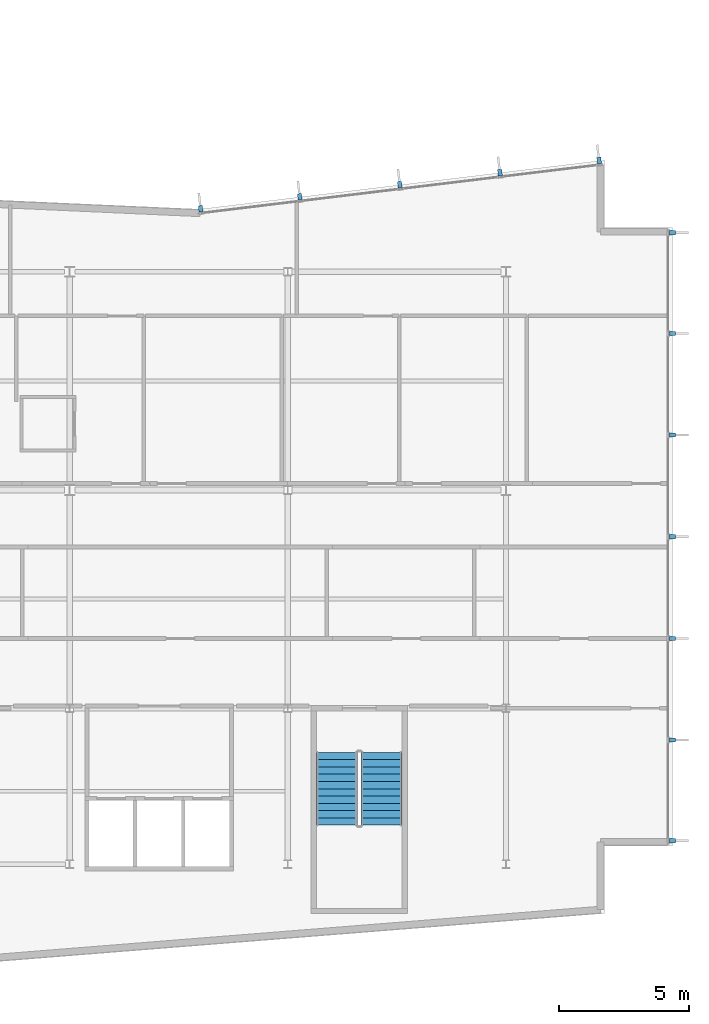
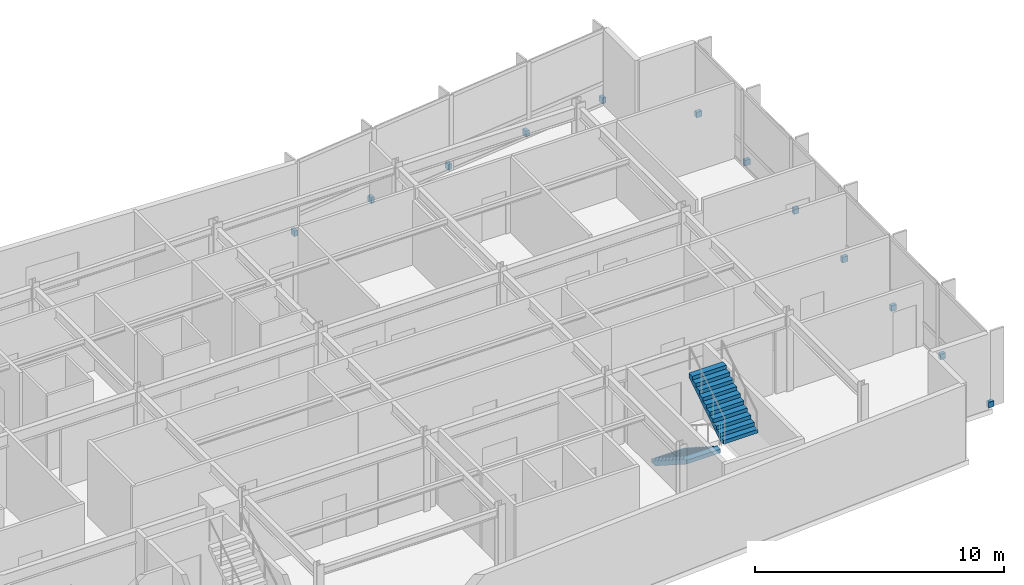
# One storey, part 14 of 18: 12 discrete accessories, 2 stair flights, 1 element without a shape of its own.
"""IFC4 building model written with IfcOpenShell, lengths in metres."""

import ifcopenshell
import ifcopenshell.guid

model = None  # the IFC model being written
_history = None  # IfcOwnerHistory: only IFC2X3 demands one
_inside = {}  # id of a spatial element -> (the spatial element, [elements in it])
_under = {}  # id of a project, library or spatial element -> (it, [spatial elements below it])
_declared = {}  # id of a project -> (the project, [libraries it declares])
_typed = {}  # id of a type object -> (the type object, [elements of that type])
_made_of = {}  # id of a material, layer set ... -> (it, [elements and type objects made of it])


def new_model(schema):
    """Start an empty IFC model of exactly this schema.

    Asked for "IFC4X3", IfcOpenShell would pick the latest addendum, in which some entities
    have other attributes; the version numbers below select the first issue.
    IFC2X3 requires an IfcOwnerHistory on every rooted entity: one is made here for all.
    """
    global model, _history
    if schema == "IFC4X3":
        model = ifcopenshell.file(schema_version=(4, 3, 0, 0))
    else:
        model = ifcopenshell.file(schema=schema)
    _inside.clear()
    _under.clear()
    _declared.clear()
    _typed.clear()
    _made_of.clear()
    _history = None
    if model.schema == "IFC2X3":
        org = make("IfcOrganization", Name="unknown")
        user = make(
            "IfcPersonAndOrganization",
            ThePerson=make("IfcPerson", FamilyName="unknown"),
            TheOrganization=org,
        )
        app = make(
            "IfcApplication",
            ApplicationDeveloper=org,
            Version="unknown",
            ApplicationFullName="unknown",
            ApplicationIdentifier="unknown",
        )
        _history = make(
            "IfcOwnerHistory",
            OwningUser=user,
            OwningApplication=app,
            ChangeAction="ADDED",
            CreationDate=0,
        )
    return model


def make(cls, **values):
    """One entity of the class cls with the attributes given. An attribute that is None is left unset."""
    return model.create_entity(
        cls, **{name: value for name, value in values.items() if value is not None}
    )


def rooted(cls, **values):
    """An entity with a GlobalId (a new one), such as an element, a storey or a relation."""
    return make(cls, GlobalId=ifcopenshell.guid.new(), OwnerHistory=_history, **values)


def si_unit(unit_type, name, prefix=None):
    """IfcSIUnit, for example si_unit("LENGTHUNIT", "METRE", prefix="MILLI")."""
    return make("IfcSIUnit", UnitType=unit_type, Prefix=prefix, Name=name)


def assignment(units):
    """IfcUnitAssignment: the units of a project."""
    return None if units is None else make("IfcUnitAssignment", Units=units)


def point(xyz):
    """IfcCartesianPoint."""
    return None if xyz is None else make("IfcCartesianPoint", Coordinates=xyz)


def direction(xyz):
    """IfcDirection."""
    return None if xyz is None else make("IfcDirection", DirectionRatios=xyz)


def frame(location, z_axis=None, x_axis=None):
    """IfcAxis2Placement3D, a coordinate frame: its origin and axes. An axis left out is left unset."""
    return make(
        "IfcAxis2Placement3D",
        Location=point(location),
        Axis=direction(z_axis),
        RefDirection=direction(x_axis),
    )


def frame_2d(location, x_axis=None):
    """IfcAxis2Placement2D, a coordinate frame in the plane: its origin and x axis."""
    return make(
        "IfcAxis2Placement2D", Location=point(location), RefDirection=direction(x_axis)
    )


def origin():
    """The frame at (0, 0, 0) with its axes left unset."""
    return frame((0.0, 0.0, 0.0))


def origin_2d():
    """The frame at (0, 0) in the plane with its x axis left unset."""
    return frame_2d((0.0, 0.0))


def place(relative_to, where):
    """IfcLocalPlacement: puts the frame where relative to a parent placement (None: the world)."""
    return make(
        "IfcLocalPlacement", PlacementRelTo=relative_to, RelativePlacement=where
    )


def context(
    kind, dimensions, precision=None, world=None, true_north=None, identifier=None
):
    """IfcGeometricRepresentationContext, for example the 3D "Model" context."""
    return make(
        "IfcGeometricRepresentationContext",
        ContextIdentifier=identifier,
        ContextType=kind,
        CoordinateSpaceDimension=dimensions,
        Precision=precision,
        WorldCoordinateSystem=world,
        TrueNorth=true_north,
    )


def subcontext(parent, identifier, kind, view, scale=None):
    """IfcGeometricRepresentationSubContext, for example "Body" below "Model"."""
    return make(
        "IfcGeometricRepresentationSubContext",
        ContextIdentifier=identifier,
        ContextType=kind,
        ParentContext=parent,
        TargetScale=scale,
        TargetView=view,
    )


def project(units=None, contexts=None):
    """IfcProject with its units and contexts."""
    return rooted(
        "IfcProject",
        Name="project",
        RepresentationContexts=contexts,
        UnitsInContext=assignment(units),
    )


def spatial(cls, under=None, at=None, **own):
    """A site, building, storey or space (cls), placed at a placement, below another one or the project."""
    s = rooted(cls, ObjectPlacement=at, **own)
    if under is not None:
        _under.setdefault(under.id(), (under, []))[1].append(s)
    return s


def polyline(points):
    """IfcPolyline through the points."""
    return make("IfcPolyline", Points=[point(p) for p in points])


def profile(cls, at=None, kind="AREA", **sizes):
    """A parametric profile (cls). Its sizes go by their IFC names, for example OverallWidth=200.0."""
    return make(cls, ProfileType=kind, Position=at, **sizes)


def rectangle(**sizes):
    """IfcRectangleProfileDef."""
    return profile("IfcRectangleProfileDef", **sizes)


def outline(outer, holes=None, kind="AREA"):
    """IfcArbitraryClosedProfileDef: a profile drawn as a closed curve; with holes, ...WithVoids."""
    if holes is None:
        return make("IfcArbitraryClosedProfileDef", ProfileType=kind, OuterCurve=outer)
    return make(
        "IfcArbitraryProfileDefWithVoids",
        ProfileType=kind,
        OuterCurve=outer,
        InnerCurves=holes,
    )


def extrude(swept, where, along, depth):
    """IfcExtrudedAreaSolid: the profile swept, set in the frame where, extruded along a direction by depth."""
    return make(
        "IfcExtrudedAreaSolid",
        SweptArea=swept,
        Position=where,
        ExtrudedDirection=direction(along),
        Depth=depth,
    )


def shape(context_of_items, identifier, shape_type, items):
    """IfcShapeRepresentation: the items that make up one representation, for example the "Body"."""
    return make(
        "IfcShapeRepresentation",
        ContextOfItems=context_of_items,
        RepresentationIdentifier=identifier,
        RepresentationType=shape_type,
        Items=items,
    )


def material(Name=None, Category=None):
    """IfcMaterial."""
    return make("IfcMaterial", Name=Name, Category=Category)


def layer(
    of_material, thickness, ventilated=None, Name=None, Category=None, Priority=None
):
    """IfcMaterialLayer: one layer of a wall or slab, of a material (None: an air gap)."""
    return make(
        "IfcMaterialLayer",
        Material=of_material,
        LayerThickness=thickness,
        IsVentilated=ventilated,
        Name=Name,
        Category=Category,
        Priority=Priority,
    )


def layer_set(layers, Name=None):
    """IfcMaterialLayerSet."""
    return make("IfcMaterialLayerSet", MaterialLayers=layers, LayerSetName=Name)


def made_of(thing, what):
    """Note that an element or type object is made of a material, layer set ...; save() writes the relation."""
    if what is not None:
        _made_of.setdefault(what.id(), (what, []))[1].append(thing)
    return thing


def type_object(cls, material=None, **own):
    """A type object (cls), such as IfcWallType, which elements share."""
    return made_of(rooted(cls, **own), material)


def element(
    cls,
    number,
    at=None,
    inside=None,
    cuts=None,
    type_object=None,
    material=None,
    context=None,
    identifier="Body",
    shape_type=None,
    held_by="IfcProductDefinitionShape",
    body=None,
    shapes=None,
    **own,
):
    """One element of the class cls, such as IfcWall. Its Tag is "e" and its number.

    at: its placement. inside: the storey or other place that contains it. cuts: it is an
    opening in that element (IfcRelVoidsElement). A single representation is given by context,
    identifier, shape_type and body (its items); several are given by shapes. held_by: the class
    of the entity that holds the representations. save() writes the other relations.
    """
    e = rooted(cls, Tag="e%d" % number, ObjectPlacement=at, **own)
    if body is not None:
        shapes = [shape(context, identifier, shape_type, body)]
    if shapes is not None:
        e.Representation = make(held_by, Representations=shapes)
    if inside is not None:
        _inside.setdefault(inside.id(), (inside, []))[1].append(e)
    if cuts is not None:
        rooted(
            "IfcRelVoidsElement", RelatingBuildingElement=cuts, RelatedOpeningElement=e
        )
    if type_object is not None:
        _typed.setdefault(type_object.id(), (type_object, []))[1].append(e)
    return made_of(e, material)


def aggregate(whole, parts):
    """IfcRelAggregates: a whole, such as a stair, and the parts it consists of."""
    return rooted("IfcRelAggregates", RelatingObject=whole, RelatedObjects=parts)


def save(model, path):
    """Write the relations noted so far, then the file.

    IfcRelAggregates (storeys below a building ...), IfcRelContainedInSpatialStructure (elements
    in a storey), IfcRelDefinesByType, IfcRelAssociatesMaterial and IfcRelDeclares: one each for
    every whole, place, type object, material and project.
    """
    for whole, parts in _under.values():
        aggregate(whole, parts)
    for where, things in _inside.values():
        rooted(
            "IfcRelContainedInSpatialStructure",
            RelatedElements=things,
            RelatingStructure=where,
        )
    for kind, things in _typed.values():
        rooted("IfcRelDefinesByType", RelatedObjects=things, RelatingType=kind)
    for what, things in _made_of.values():
        rooted("IfcRelAssociatesMaterial", RelatedObjects=things, RelatingMaterial=what)
    for by, libraries in _declared.values():
        rooted("IfcRelDeclares", RelatingContext=by, RelatedDefinitions=libraries)
    model.write(path)


model = new_model("IFC4")

# Units and contexts
model_context = context("Model", 3, precision=1e-05, world=origin(), true_north=direction((0.0, 1.0)))
body_context = subcontext(model_context, "Body", "Model", "MODEL_VIEW")
ifc_project = project(units=[si_unit("LENGTHUNIT", "METRE"), si_unit("AREAUNIT", "SQUARE_METRE"), si_unit("VOLUMEUNIT", "CUBIC_METRE"), si_unit("PLANEANGLEUNIT", "RADIAN"), si_unit("MASSUNIT", "GRAM", prefix="KILO")], contexts=[model_context])

# Site, building, storey
site_placement = place(None, origin())
site = spatial("IfcSite", under=ifc_project, at=site_placement, CompositionType="ELEMENT")
building_placement = place(site_placement, origin())
building = spatial("IfcBuilding", under=site, at=building_placement, Name="Varnakote Quay Hospital", CompositionType="ELEMENT")
storey_placement = place(building_placement, frame((0.0, 0.0, 158.64990234375)))
storey = spatial("IfcBuildingStorey", under=building, at=storey_placement, Name="L39", CompositionType="ELEMENT", Elevation=158.64990234375)

# Stair, stair flights
ifc_material_1 = material(Name="Concrete N40 (f'c 40 MPa)", Category="concrete")
stair_type = type_object("IfcStairType", Name="STR-CORE-1580", PredefinedType="HALF_TURN_STAIR", material=ifc_material_1)
stair_placement = place(storey_placement, origin())
stair = element("IfcStair", 1, at=stair_placement, inside=storey, type_object=stair_type, Name="L39 Fire-Isolated Exit Stair ST-03", PredefinedType="HALF_TURN_STAIR")
ifc_material_2 = material(Name="Concrete N40 (f'c 40 MPa)", Category="concrete")
ifc_layer = layer(ifc_material_2, 0.159912109375)
ifc_layer_set = layer_set([ifc_layer], Name="Concrete N40 (f'c 40 MPa)")
stair_flight_type = type_object("IfcStairFlightType", Name="FLT-CORE-1580", PredefinedType="STRAIGHT", material=ifc_layer_set)
stair_flight_1_placement = place(storey_placement, frame((43.889892578125, 10.300048828125, 0.0), z_axis=(0.0, 0.0, 1.0), x_axis=(0.0, -1.0, 0.0)))
stair_flight_1 = element("IfcStairFlight", 2, at=stair_flight_1_placement, type_object=stair_flight_type, Name="ST-03 flight 1", NumberOfRisers=11, NumberOfTreads=10, PredefinedType="STRAIGHT", RiserHeight=0.179545455, TreadLength=0.28, context=body_context, shape_type="SweptSolid", body=[
    extrude(outline(polyline([(0.0, 0.0), (0.0, 0.179443359375), (0.280029296875, 0.179443359375), (0.280029296875, 0.359130859375), (0.56005859375, 0.359130859375), (0.56005859375, 0.53857421875), (0.840087890625, 0.53857421875), (0.840087890625, 0.71826171875), (1.1201171875, 0.71826171875), (1.1201171875, 0.897705078125), (1.39990234375, 0.897705078125), (1.39990234375, 1.077392578125), (1.679931640625, 1.077392578125), (1.679931640625, 1.2568359375), (1.9599609375, 1.2568359375), (1.9599609375, 1.436279296875), (2.239990234375, 1.436279296875), (2.239990234375, 1.615966796875), (2.52001953125, 1.615966796875), (2.52001953125, 1.79541015625), (2.800048828125, 1.79541015625), (2.800048828125, 1.97509765625), (2.800048828125, 1.60546875), (0.296142578125, 0.0), (0.0, 0.0)])), frame((0.0, 0.7900390625, 0.0), z_axis=(0.0, -1.0, 0.0), x_axis=(1.0, 0.0, 0.0)), (0.0, 0.0, 1.0), 1.580078125),
])
stair_flight_2_placement = place(storey_placement, frame((45.610107421875, 7.5, 1.97509765625), z_axis=(0.0, 0.0, 1.0), x_axis=(0.0, 1.0, 0.0)))
stair_flight_2 = element("IfcStairFlight", 3, at=stair_flight_2_placement, type_object=stair_flight_type, Name="ST-03 flight 2", NumberOfRisers=11, NumberOfTreads=10, PredefinedType="STRAIGHT", RiserHeight=0.179545455, TreadLength=0.28, context=body_context, shape_type="SweptSolid", body=[
    extrude(outline(polyline([(0.0, 0.0), (0.0, 0.179443359375), (0.280029296875, 0.179443359375), (0.280029296875, 0.359130859375), (0.56005859375, 0.359130859375), (0.56005859375, 0.53857421875), (0.840087890625, 0.53857421875), (0.840087890625, 0.71826171875), (1.1201171875, 0.71826171875), (1.1201171875, 0.897705078125), (1.39990234375, 0.897705078125), (1.39990234375, 1.077392578125), (1.679931640625, 1.077392578125), (1.679931640625, 1.2568359375), (1.9599609375, 1.2568359375), (1.9599609375, 1.436279296875), (2.239990234375, 1.436279296875), (2.239990234375, 1.615966796875), (2.52001953125, 1.615966796875), (2.52001953125, 1.79541015625), (2.800048828125, 1.79541015625), (2.800048828125, 1.97509765625), (2.800048828125, 1.60546875), (0.296142578125, 0.0), (0.0, 0.0)])), frame((0.0, 0.7900390625, 0.0), z_axis=(0.0, -1.0, 0.0), x_axis=(1.0, 0.0, 0.0)), (0.0, 0.0, 1.0), 1.580078125),
])
aggregate(stair, [stair_flight_1, stair_flight_2])

# Discrete accessories
ifc_material_3 = material(Name="Anodised aluminium 6063-T6 Bronze", Category="aluminium")
discrete_accessory_type = type_object("IfcDiscreteAccessoryType", Name="ACC-FIN-BRACKET-180", PredefinedType="BRACKET", material=ifc_material_3)
for number, where, z_axis, x_axis, name in (
    (4, (56.81005859375, 6.8974609375, 0.0), (0.0, 0.0, 1.0), (0.0, 1.0, 0.0), "L39 Curtain Wall Fin Fixing Bracket"),
    (5, (56.81005859375, 10.773193359375, 0.0), (0.0, 0.0, 1.0), (0.0, 1.0, 0.0), "L39 Curtain Wall Fin Fixing Bracket"),
    (6, (56.81005859375, 14.686767578125, 0.0), (0.0, 0.0, 1.0), (0.0, 1.0, 0.0), "L39 Curtain Wall Fin Fixing Bracket"),
    (7, (56.81005859375, 18.60009765625, 0.0), (0.0, 0.0, 1.0), (0.0, 1.0, 0.0), "L39 Curtain Wall Fin Fixing Bracket"),
    (8, (56.81005859375, 22.51318359375, 0.0), (0.0, 0.0, 1.0), (0.0, 1.0, 0.0), "L39 Curtain Wall Fin Fixing Bracket"),
    (9, (56.81005859375, 26.4267578125, 0.0), (0.0, 0.0, 1.0), (0.0, 1.0, 0.0), "L39 Curtain Wall Fin Fixing Bracket"),
    (10, (56.81005859375, 30.302490234375, 0.0), (0.0, 0.0, 1.0), (0.0, 1.0, 0.0), "L39 Curtain Wall Fin Fixing Bracket"),
    (11, (53.982421875, 33.083740234375, 0.0), (0.0, 0.0, 1.0), (-0.992736358975, -0.120310105847, 0.0), "L39 Curtain Wall Fin Fixing Bracket"),
    (12, (50.1669921875, 32.62109375, 0.0), (0.0, 0.0, 1.0), (-0.992736358975, -0.120310105847, 0.0), "L39 Curtain Wall Fin Fixing Bracket"),
    (13, (46.314697265625, 32.154296875, 0.0), (0.0, 0.0, 1.0), (-0.992736358975, -0.120310105847, 0.0), "L39 Curtain Wall Fin Fixing Bracket"),
    (14, (42.462158203125, 31.687255859375, 0.0), (0.0, 0.0, 1.0), (-0.992736358975, -0.120310105847, 0.0), "L39 Curtain Wall Fin Fixing Bracket"),
    (15, (38.64697265625, 31.224853515625, 0.0), (0.0, 0.0, 1.0), (-0.992736358975, -0.120310105847, 0.0), "L39 Curtain Wall Fin Fixing Bracket"),
):
    element("IfcDiscreteAccessory", number, at=place(storey_placement, frame(where, z_axis=z_axis, x_axis=x_axis)), inside=storey, type_object=discrete_accessory_type, Name=name, PredefinedType="BRACKET", context=body_context, shape_type="SweptSolid", body=[
        extrude(rectangle(XDim=0.159912109375, YDim=0.239990234375, at=origin_2d()), origin(), (0.0, 0.0, 1.0), 0.280029296875),
    ])

save(model, "model.ifc")
